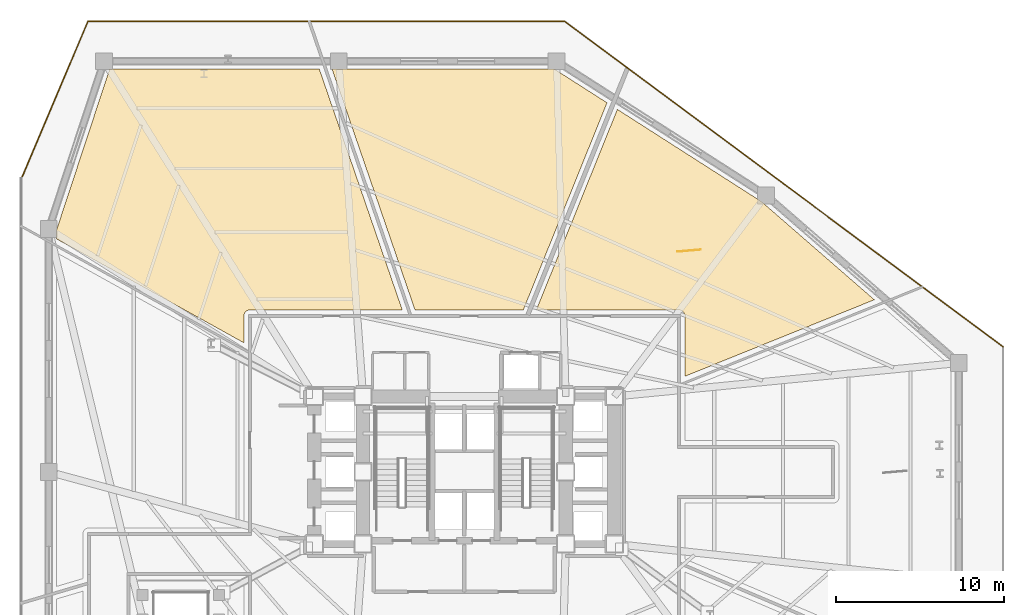
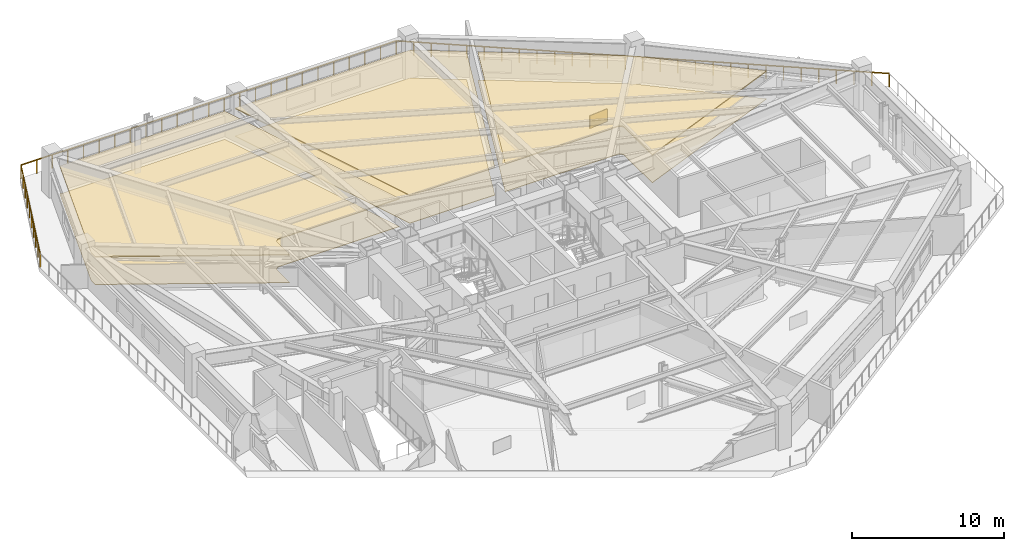
# One storey, part 10 of 10: 7 coverings, 1 railing.
"""IFC4 building model written with IfcOpenShell, lengths in metres."""

from ifc_helpers import new_model, si_unit, direction, frame, origin, origin_2d, place, context, subcontext, project, spatial, polyline, rectangle, outline, extrude, material, layer, layer_set, type_object, element, save


model = new_model("IFC4")

# Units and contexts
model_context = context("Model", 3, precision=1e-05, world=origin(), true_north=direction((0.0, 1.0)))
body_context = subcontext(model_context, "Body", "Model", "MODEL_VIEW")
ifc_project = project(units=[si_unit("LENGTHUNIT", "METRE"), si_unit("AREAUNIT", "SQUARE_METRE"), si_unit("VOLUMEUNIT", "CUBIC_METRE"), si_unit("PLANEANGLEUNIT", "RADIAN"), si_unit("MASSUNIT", "GRAM", prefix="KILO")], contexts=[model_context])

# Site, building, storey
site_placement = place(None, origin())
site = spatial("IfcSite", under=ifc_project, at=site_placement, CompositionType="ELEMENT")
building_placement = place(site_placement, origin())
building = spatial("IfcBuilding", under=site, at=building_placement, Name="Rocaltana Carrier Exchange", CompositionType="ELEMENT")
storey_placement = place(building_placement, frame((0.0, 0.0, 15.360107421875)))
storey = spatial("IfcBuildingStorey", under=building, at=storey_placement, Name="L05", CompositionType="ELEMENT", Elevation=15.360107421875)

# Coverings
ifc_material_1 = material(Name="Honed Bogota Sandstone Tile", Category="masonry")
ifc_layer_1 = layer(ifc_material_1, 0.0400390625)
ifc_layer_set_1 = layer_set([ifc_layer_1], Name="Honed Bogota Sandstone Tile")
covering_type_1 = type_object("IfcCoveringType", Name="Honed Stone Lobby Flooring 40", PredefinedType="FLOORING", material=ifc_layer_set_1)
covering_1_placement = place(storey_placement, origin())
element("IfcCovering", 1, at=covering_1_placement, inside=storey, type_object=covering_type_1, Name="L05 Peering Conference Room Finish Floor", PredefinedType="FLOORING", context=body_context, shape_type="SweptSolid", body=[
    extrude(outline(polyline([(17.7236328125, 16.130615234375), (24.4619140625, 10.271484375), (13.159912109375, 5.705322265625), (13.159912109375, 9.300048828125), (13.15966796875, 9.313720703125), (13.1591796875, 9.321533203125), (13.156494140625, 9.348876953125), (13.155517578125, 9.356689453125), (13.150146484375, 9.383544921875), (13.148193359375, 9.391357421875), (13.14013671875, 9.41748046875), (13.137451171875, 9.4248046875), (13.126953125, 9.4501953125), (13.123779296875, 9.45751953125), (13.110595703125, 9.481689453125), (13.106689453125, 9.48828125), (13.09130859375, 9.51123046875), (13.086669921875, 9.517578125), (13.0693359375, 9.538818359375), (13.06396484375, 9.544677734375), (13.044677734375, 9.56396484375), (13.038818359375, 9.5693359375), (13.017578125, 9.586669921875), (13.01123046875, 9.59130859375), (12.98828125, 9.606689453125), (12.981689453125, 9.610595703125), (12.95751953125, 9.623779296875), (12.9501953125, 9.626953125), (12.9248046875, 9.637451171875), (12.91748046875, 9.64013671875), (12.891357421875, 9.648193359375), (12.883544921875, 9.650146484375), (12.856689453125, 9.655517578125), (12.848876953125, 9.656494140625), (12.821533203125, 9.6591796875), (12.813720703125, 9.65966796875), (12.800048828125, 9.659912109375), (4.291259765625, 9.659912109375), (9.128173828125, 21.6318359375), (17.7236328125, 16.130615234375)])), origin(), (0.0, 0.0, 1.0), 0.039794921875),
])
covering_2_placement = place(storey_placement, origin())
element("IfcCovering", 2, at=covering_2_placement, inside=storey, type_object=covering_type_1, Name="L05 Optical Switching Laboratory Finish Floor", PredefinedType="FLOORING", context=body_context, shape_type="SweptSolid", body=[
    extrude(outline(polyline([(5.365478515625, 24.0400390625), (8.510986328125, 22.026611328125), (3.5146484375, 9.659912109375), (-2.945556640625, 9.659912109375), (-7.89697265625, 24.0400390625), (5.365478515625, 24.0400390625)])), origin(), (0.0, 0.0, 1.0), 0.039794921875),
])
covering_3_placement = place(storey_placement, origin())
element("IfcCovering", 3, at=covering_3_placement, inside=storey, type_object=covering_type_1, Name="L05 Client Reception Foyer Finish Floor", PredefinedType="FLOORING", context=body_context, shape_type="SweptSolid", body=[
    extrude(outline(polyline([(-24.340087890625, 14.426025390625), (-21.16748046875, 24.0400390625), (-8.658447265625, 24.0400390625), (-3.706787109375, 9.659912109375), (-12.800048828125, 9.659912109375), (-12.813720703125, 9.65966796875), (-12.821533203125, 9.6591796875), (-12.848876953125, 9.656494140625), (-12.856689453125, 9.655517578125), (-12.883544921875, 9.650146484375), (-12.891357421875, 9.648193359375), (-12.91748046875, 9.64013671875), (-12.9248046875, 9.637451171875), (-12.9501953125, 9.626953125), (-12.95751953125, 9.623779296875), (-12.981689453125, 9.610595703125), (-12.98828125, 9.606689453125), (-13.01123046875, 9.59130859375), (-13.017578125, 9.586669921875), (-13.038818359375, 9.5693359375), (-13.044677734375, 9.56396484375), (-13.06396484375, 9.544677734375), (-13.0693359375, 9.538818359375), (-13.086669921875, 9.517578125), (-13.09130859375, 9.51123046875), (-13.106689453125, 9.48828125), (-13.110595703125, 9.481689453125), (-13.123779296875, 9.45751953125), (-13.126953125, 9.4501953125), (-13.137451171875, 9.4248046875), (-13.14013671875, 9.41748046875), (-13.148193359375, 9.391357421875), (-13.150146484375, 9.383544921875), (-13.155517578125, 9.356689453125), (-13.156494140625, 9.348876953125), (-13.1591796875, 9.321533203125), (-13.15966796875, 9.313720703125), (-13.159912109375, 9.300048828125), (-13.159912109375, 7.706298828125), (-24.340087890625, 13.903564453125), (-24.340087890625, 14.426025390625)])), origin(), (0.0, 0.0, 1.0), 0.039794921875),
])
ifc_material_2 = material(Name="Anodised Aluminium 6063-T6", Category="aluminium")
ifc_layer_2 = layer(ifc_material_2, 0.0849609375)
ifc_layer_set_2 = layer_set([ifc_layer_2], Name="Anodised Aluminium 6063-T6")
covering_type_2 = type_object("IfcCoveringType", Name="Linear Baffle Acoustic Ceiling 85", PredefinedType="CEILING", material=ifc_layer_set_2)
covering_4_placement = place(storey_placement, frame((0.0, 0.0, 2.202880859375)))
element("IfcCovering", 4, at=covering_4_placement, inside=storey, type_object=covering_type_2, Name="L05 Peering Conference Room Acoustic Ceiling", PredefinedType="CEILING", context=body_context, shape_type="SweptSolid", body=[
    extrude(outline(polyline([(17.7236328125, 16.130615234375), (24.4619140625, 10.271484375), (13.159912109375, 5.705322265625), (13.159912109375, 9.300048828125), (13.15966796875, 9.313720703125), (13.1591796875, 9.321533203125), (13.156494140625, 9.348876953125), (13.155517578125, 9.356689453125), (13.150146484375, 9.383544921875), (13.148193359375, 9.391357421875), (13.14013671875, 9.41748046875), (13.137451171875, 9.4248046875), (13.126953125, 9.4501953125), (13.123779296875, 9.45751953125), (13.110595703125, 9.481689453125), (13.106689453125, 9.48828125), (13.09130859375, 9.51123046875), (13.086669921875, 9.517578125), (13.0693359375, 9.538818359375), (13.06396484375, 9.544677734375), (13.044677734375, 9.56396484375), (13.038818359375, 9.5693359375), (13.017578125, 9.586669921875), (13.01123046875, 9.59130859375), (12.98828125, 9.606689453125), (12.981689453125, 9.610595703125), (12.95751953125, 9.623779296875), (12.9501953125, 9.626953125), (12.9248046875, 9.637451171875), (12.91748046875, 9.64013671875), (12.891357421875, 9.648193359375), (12.883544921875, 9.650146484375), (12.856689453125, 9.655517578125), (12.848876953125, 9.656494140625), (12.821533203125, 9.6591796875), (12.813720703125, 9.65966796875), (12.800048828125, 9.659912109375), (4.291259765625, 9.659912109375), (9.128173828125, 21.6318359375), (17.7236328125, 16.130615234375)])), origin(), (0.0, 0.0, 1.0), 0.0849609375),
])
covering_5_placement = place(storey_placement, frame((0.0, 0.0, 2.202880859375)))
element("IfcCovering", 5, at=covering_5_placement, inside=storey, type_object=covering_type_2, Name="L05 Optical Switching Laboratory Acoustic Ceiling", PredefinedType="CEILING", context=body_context, shape_type="SweptSolid", body=[
    extrude(outline(polyline([(5.365478515625, 24.0400390625), (8.510986328125, 22.026611328125), (3.5146484375, 9.659912109375), (-2.945556640625, 9.659912109375), (-7.89697265625, 24.0400390625), (5.365478515625, 24.0400390625)])), origin(), (0.0, 0.0, 1.0), 0.0849609375),
])
covering_6_placement = place(storey_placement, frame((0.0, 0.0, 2.202880859375)))
element("IfcCovering", 6, at=covering_6_placement, inside=storey, type_object=covering_type_2, Name="L05 Client Reception Foyer Acoustic Ceiling", PredefinedType="CEILING", context=body_context, shape_type="SweptSolid", body=[
    extrude(outline(polyline([(-24.340087890625, 14.426025390625), (-21.16748046875, 24.0400390625), (-8.658447265625, 24.0400390625), (-3.706787109375, 9.659912109375), (-12.800048828125, 9.659912109375), (-12.813720703125, 9.65966796875), (-12.821533203125, 9.6591796875), (-12.848876953125, 9.656494140625), (-12.856689453125, 9.655517578125), (-12.883544921875, 9.650146484375), (-12.891357421875, 9.648193359375), (-12.91748046875, 9.64013671875), (-12.9248046875, 9.637451171875), (-12.9501953125, 9.626953125), (-12.95751953125, 9.623779296875), (-12.981689453125, 9.610595703125), (-12.98828125, 9.606689453125), (-13.01123046875, 9.59130859375), (-13.017578125, 9.586669921875), (-13.038818359375, 9.5693359375), (-13.044677734375, 9.56396484375), (-13.06396484375, 9.544677734375), (-13.0693359375, 9.538818359375), (-13.086669921875, 9.517578125), (-13.09130859375, 9.51123046875), (-13.106689453125, 9.48828125), (-13.110595703125, 9.481689453125), (-13.123779296875, 9.45751953125), (-13.126953125, 9.4501953125), (-13.137451171875, 9.4248046875), (-13.14013671875, 9.41748046875), (-13.148193359375, 9.391357421875), (-13.150146484375, 9.383544921875), (-13.155517578125, 9.356689453125), (-13.156494140625, 9.348876953125), (-13.1591796875, 9.321533203125), (-13.15966796875, 9.313720703125), (-13.159912109375, 9.300048828125), (-13.159912109375, 7.706298828125), (-24.340087890625, 13.903564453125), (-24.340087890625, 14.426025390625)])), origin(), (0.0, 0.0, 1.0), 0.0849609375),
])
ifc_material_3 = material(Name="Honed Piedra Muneca Sandstone", Category="masonry")
ifc_layer_3 = layer(ifc_material_3, 0.034912109375)
ifc_layer_set_3 = layer_set([ifc_layer_3], Name="Honed Piedra Muneca Sandstone")
covering_type_3 = type_object("IfcCoveringType", Name="Stone Facade Cladding 35", PredefinedType="CLADDING", material=ifc_layer_set_3)
covering_7_placement = place(storey_placement, frame((13.4072265625, 13.201171875, 0.0), z_axis=(0.0, 0.0, 1.0), x_axis=(0.996194698092, 0.087155742748, 0.0)))
element("IfcCovering", 7, at=covering_7_placement, inside=storey, type_object=covering_type_3, Name="L05 Stone Facade Cladding Panel 5", PredefinedType="CLADDING", context=body_context, shape_type="SweptSolid", body=[
    extrude(rectangle(XDim=1.39990234375, YDim=0.034912109375, at=origin_2d()), origin(), (0.0, 0.0, 1.0), 1.050048828125),
])

# Railing
ifc_material_4 = material(Name="Powder-Coated Aluminium 6063-T6", Category="aluminium")
ifc_layer_4 = layer(ifc_material_4, 0.06005859375)
ifc_layer_set_4 = layer_set([ifc_layer_4], Name="Powder-Coated Aluminium 6063-T6")
railing_type = type_object("IfcRailingType", Name="Wind-Floor & Terrace Perimeter Guardrail 1100", PredefinedType="GUARDRAIL", material=ifc_layer_set_4)
railing_placement = place(storey_placement, frame((-26.43994140625, 17.48779296875, 0.0)))
element("IfcRailing", 8, at=railing_placement, inside=storey, type_object=railing_type, Name="L05 Perimeter Balcony Guardrail 2", PredefinedType="GUARDRAIL", context=body_context, shape_type="SweptSolid", body=[
    extrude(rectangle(XDim=0.048095703125, YDim=0.048095703125, at=origin_2d()), frame((0.0, 0.0, 1.076171875), z_axis=(0.389799902601, 0.920899579722, 0.0), x_axis=(-0.920899579722, 0.389799902601, 0.0)), (0.0, 0.0, 1.0), 10.209716796875),
    extrude(rectangle(XDim=0.048095703125, YDim=0.048095703125, at=origin_2d()), frame((3.979736328125, 9.402099609375, 1.076171875), z_axis=(1.0, 0.0, 0.0), x_axis=(0.0, 1.0, 0.0)), (0.0, 0.0, 1.0), 28.4404296875),
    extrude(rectangle(XDim=0.048095703125, YDim=0.048095703125, at=origin_2d()), frame((32.420166015625, 9.402099609375, 1.076171875), z_axis=(0.802930850868, -0.596072184156, 0.0), x_axis=(0.596072184156, 0.802930850868, 0.0)), (0.0, 0.0, 1.0), 32.580322265625),
    extrude(rectangle(XDim=0.0419921875, YDim=0.0419921875, at=origin_2d()), origin(), (0.0, 0.0, 1.0), 1.052001953125),
    extrude(rectangle(XDim=0.0419921875, YDim=0.0419921875, at=origin_2d()), frame((0.442138671875, 1.044677734375, 0.0)), (0.0, 0.0, 1.0), 1.052001953125),
    extrude(rectangle(XDim=0.0419921875, YDim=0.0419921875, at=origin_2d()), frame((0.88427734375, 2.08935546875, 0.0)), (0.0, 0.0, 1.0), 1.052001953125),
    extrude(rectangle(XDim=0.0419921875, YDim=0.0419921875, at=origin_2d()), frame((1.32666015625, 3.134033203125, 0.0)), (0.0, 0.0, 1.0), 1.052001953125),
    extrude(rectangle(XDim=0.0419921875, YDim=0.0419921875, at=origin_2d()), frame((1.768798828125, 4.1787109375, 0.0)), (0.0, 0.0, 1.0), 1.052001953125),
    extrude(rectangle(XDim=0.0419921875, YDim=0.0419921875, at=origin_2d()), frame((2.2109375, 5.223388671875, 0.0)), (0.0, 0.0, 1.0), 1.052001953125),
    extrude(rectangle(XDim=0.0419921875, YDim=0.0419921875, at=origin_2d()), frame((2.653076171875, 6.26806640625, 0.0)), (0.0, 0.0, 1.0), 1.052001953125),
    extrude(rectangle(XDim=0.0419921875, YDim=0.0419921875, at=origin_2d()), frame((3.095458984375, 7.312744140625, 0.0)), (0.0, 0.0, 1.0), 1.052001953125),
    extrude(rectangle(XDim=0.0419921875, YDim=0.0419921875, at=origin_2d()), frame((3.53759765625, 8.357421875, 0.0)), (0.0, 0.0, 1.0), 1.052001953125),
    extrude(rectangle(XDim=0.0419921875, YDim=0.0419921875, at=origin_2d()), frame((3.979736328125, 9.402099609375, 0.0)), (0.0, 0.0, 1.0), 1.052001953125),
    extrude(rectangle(XDim=0.0419921875, YDim=0.0419921875, at=origin_2d()), frame((5.164794921875, 9.402099609375, 0.0)), (0.0, 0.0, 1.0), 1.052001953125),
    extrude(rectangle(XDim=0.0419921875, YDim=0.0419921875, at=origin_2d()), frame((6.349853515625, 9.402099609375, 0.0)), (0.0, 0.0, 1.0), 1.052001953125),
    extrude(rectangle(XDim=0.0419921875, YDim=0.0419921875, at=origin_2d()), frame((7.53466796875, 9.402099609375, 0.0)), (0.0, 0.0, 1.0), 1.052001953125),
    extrude(rectangle(XDim=0.0419921875, YDim=0.0419921875, at=origin_2d()), frame((8.7197265625, 9.402099609375, 0.0)), (0.0, 0.0, 1.0), 1.052001953125),
    extrude(rectangle(XDim=0.0419921875, YDim=0.0419921875, at=origin_2d()), frame((9.90478515625, 9.402099609375, 0.0)), (0.0, 0.0, 1.0), 1.052001953125),
    extrude(rectangle(XDim=0.0419921875, YDim=0.0419921875, at=origin_2d()), frame((11.08984375, 9.402099609375, 0.0)), (0.0, 0.0, 1.0), 1.052001953125),
    extrude(rectangle(XDim=0.0419921875, YDim=0.0419921875, at=origin_2d()), frame((12.27490234375, 9.402099609375, 0.0)), (0.0, 0.0, 1.0), 1.052001953125),
    extrude(rectangle(XDim=0.0419921875, YDim=0.0419921875, at=origin_2d()), frame((13.4599609375, 9.402099609375, 0.0)), (0.0, 0.0, 1.0), 1.052001953125),
    extrude(rectangle(XDim=0.0419921875, YDim=0.0419921875, at=origin_2d()), frame((14.64501953125, 9.402099609375, 0.0)), (0.0, 0.0, 1.0), 1.052001953125),
    extrude(rectangle(XDim=0.0419921875, YDim=0.0419921875, at=origin_2d()), frame((15.829833984375, 9.402099609375, 0.0)), (0.0, 0.0, 1.0), 1.052001953125),
    extrude(rectangle(XDim=0.0419921875, YDim=0.0419921875, at=origin_2d()), frame((17.014892578125, 9.402099609375, 0.0)), (0.0, 0.0, 1.0), 1.052001953125),
    extrude(rectangle(XDim=0.0419921875, YDim=0.0419921875, at=origin_2d()), frame((18.199951171875, 9.402099609375, 0.0)), (0.0, 0.0, 1.0), 1.052001953125),
    extrude(rectangle(XDim=0.0419921875, YDim=0.0419921875, at=origin_2d()), frame((19.385009765625, 9.402099609375, 0.0)), (0.0, 0.0, 1.0), 1.052001953125),
    extrude(rectangle(XDim=0.0419921875, YDim=0.0419921875, at=origin_2d()), frame((20.570068359375, 9.402099609375, 0.0)), (0.0, 0.0, 1.0), 1.052001953125),
    extrude(rectangle(XDim=0.0419921875, YDim=0.0419921875, at=origin_2d()), frame((21.7548828125, 9.402099609375, 0.0)), (0.0, 0.0, 1.0), 1.052001953125),
    extrude(rectangle(XDim=0.0419921875, YDim=0.0419921875, at=origin_2d()), frame((22.93994140625, 9.402099609375, 0.0)), (0.0, 0.0, 1.0), 1.052001953125),
    extrude(rectangle(XDim=0.0419921875, YDim=0.0419921875, at=origin_2d()), frame((24.125, 9.402099609375, 0.0)), (0.0, 0.0, 1.0), 1.052001953125),
    extrude(rectangle(XDim=0.0419921875, YDim=0.0419921875, at=origin_2d()), frame((25.31005859375, 9.402099609375, 0.0)), (0.0, 0.0, 1.0), 1.052001953125),
    extrude(rectangle(XDim=0.0419921875, YDim=0.0419921875, at=origin_2d()), frame((26.4951171875, 9.402099609375, 0.0)), (0.0, 0.0, 1.0), 1.052001953125),
    extrude(rectangle(XDim=0.0419921875, YDim=0.0419921875, at=origin_2d()), frame((27.68017578125, 9.402099609375, 0.0)), (0.0, 0.0, 1.0), 1.052001953125),
    extrude(rectangle(XDim=0.0419921875, YDim=0.0419921875, at=origin_2d()), frame((28.865234375, 9.402099609375, 0.0)), (0.0, 0.0, 1.0), 1.052001953125),
    extrude(rectangle(XDim=0.0419921875, YDim=0.0419921875, at=origin_2d()), frame((30.050048828125, 9.402099609375, 0.0)), (0.0, 0.0, 1.0), 1.052001953125),
    extrude(rectangle(XDim=0.0419921875, YDim=0.0419921875, at=origin_2d()), frame((31.235107421875, 9.402099609375, 0.0)), (0.0, 0.0, 1.0), 1.052001953125),
    extrude(rectangle(XDim=0.0419921875, YDim=0.0419921875, at=origin_2d()), frame((32.420166015625, 9.402099609375, 0.0)), (0.0, 0.0, 1.0), 1.052001953125),
    extrude(rectangle(XDim=0.0419921875, YDim=0.0419921875, at=origin_2d()), frame((33.3544921875, 8.70849609375, 0.0)), (0.0, 0.0, 1.0), 1.052001953125),
    extrude(rectangle(XDim=0.0419921875, YDim=0.0419921875, at=origin_2d()), frame((34.288818359375, 8.014892578125, 0.0)), (0.0, 0.0, 1.0), 1.052001953125),
    extrude(rectangle(XDim=0.0419921875, YDim=0.0419921875, at=origin_2d()), frame((35.222900390625, 7.3212890625, 0.0)), (0.0, 0.0, 1.0), 1.052001953125),
    extrude(rectangle(XDim=0.0419921875, YDim=0.0419921875, at=origin_2d()), frame((36.1572265625, 6.627685546875, 0.0)), (0.0, 0.0, 1.0), 1.052001953125),
    extrude(rectangle(XDim=0.0419921875, YDim=0.0419921875, at=origin_2d()), frame((37.091552734375, 5.934326171875, 0.0)), (0.0, 0.0, 1.0), 1.052001953125),
    extrude(rectangle(XDim=0.0419921875, YDim=0.0419921875, at=origin_2d()), frame((38.02587890625, 5.24072265625, 0.0)), (0.0, 0.0, 1.0), 1.052001953125),
    extrude(rectangle(XDim=0.0419921875, YDim=0.0419921875, at=origin_2d()), frame((38.9599609375, 4.547119140625, 0.0)), (0.0, 0.0, 1.0), 1.052001953125),
    extrude(rectangle(XDim=0.0419921875, YDim=0.0419921875, at=origin_2d()), frame((39.894287109375, 3.853515625, 0.0)), (0.0, 0.0, 1.0), 1.052001953125),
    extrude(rectangle(XDim=0.0419921875, YDim=0.0419921875, at=origin_2d()), frame((40.82861328125, 3.159912109375, 0.0)), (0.0, 0.0, 1.0), 1.052001953125),
    extrude(rectangle(XDim=0.0419921875, YDim=0.0419921875, at=origin_2d()), frame((41.762939453125, 2.46630859375, 0.0)), (0.0, 0.0, 1.0), 1.052001953125),
    extrude(rectangle(XDim=0.0419921875, YDim=0.0419921875, at=origin_2d()), frame((42.697265625, 1.772705078125, 0.0)), (0.0, 0.0, 1.0), 1.052001953125),
    extrude(rectangle(XDim=0.0419921875, YDim=0.0419921875, at=origin_2d()), frame((43.63134765625, 1.0791015625, 0.0)), (0.0, 0.0, 1.0), 1.052001953125),
    extrude(rectangle(XDim=0.0419921875, YDim=0.0419921875, at=origin_2d()), frame((44.565673828125, 0.385498046875, 0.0)), (0.0, 0.0, 1.0), 1.052001953125),
    extrude(rectangle(XDim=0.0419921875, YDim=0.0419921875, at=origin_2d()), frame((45.5, -0.30810546875, 0.0)), (0.0, 0.0, 1.0), 1.052001953125),
    extrude(rectangle(XDim=0.0419921875, YDim=0.0419921875, at=origin_2d()), frame((46.434326171875, -1.00146484375, 0.0)), (0.0, 0.0, 1.0), 1.052001953125),
    extrude(rectangle(XDim=0.0419921875, YDim=0.0419921875, at=origin_2d()), frame((47.36865234375, -1.695068359375, 0.0)), (0.0, 0.0, 1.0), 1.052001953125),
    extrude(rectangle(XDim=0.0419921875, YDim=0.0419921875, at=origin_2d()), frame((48.302734375, -2.388671875, 0.0)), (0.0, 0.0, 1.0), 1.052001953125),
    extrude(rectangle(XDim=0.0419921875, YDim=0.0419921875, at=origin_2d()), frame((49.237060546875, -3.082275390625, 0.0)), (0.0, 0.0, 1.0), 1.052001953125),
    extrude(rectangle(XDim=0.0419921875, YDim=0.0419921875, at=origin_2d()), frame((50.17138671875, -3.77587890625, 0.0)), (0.0, 0.0, 1.0), 1.052001953125),
    extrude(rectangle(XDim=0.0419921875, YDim=0.0419921875, at=origin_2d()), frame((51.105712890625, -4.469482421875, 0.0)), (0.0, 0.0, 1.0), 1.052001953125),
    extrude(rectangle(XDim=0.0419921875, YDim=0.0419921875, at=origin_2d()), frame((52.0400390625, -5.1630859375, 0.0)), (0.0, 0.0, 1.0), 1.052001953125),
    extrude(rectangle(XDim=0.0419921875, YDim=0.0419921875, at=origin_2d()), frame((52.97412109375, -5.856689453125, 0.0)), (0.0, 0.0, 1.0), 1.052001953125),
    extrude(rectangle(XDim=0.0419921875, YDim=0.0419921875, at=origin_2d()), frame((53.908447265625, -6.55029296875, 0.0)), (0.0, 0.0, 1.0), 1.052001953125),
    extrude(rectangle(XDim=0.0419921875, YDim=0.0419921875, at=origin_2d()), frame((54.8427734375, -7.24365234375, 0.0)), (0.0, 0.0, 1.0), 1.052001953125),
    extrude(rectangle(XDim=0.0419921875, YDim=0.0419921875, at=origin_2d()), frame((55.777099609375, -7.937255859375, 0.0)), (0.0, 0.0, 1.0), 1.052001953125),
    extrude(rectangle(XDim=0.0419921875, YDim=0.0419921875, at=origin_2d()), frame((56.711181640625, -8.630859375, 0.0)), (0.0, 0.0, 1.0), 1.052001953125),
    extrude(rectangle(XDim=0.0419921875, YDim=0.0419921875, at=origin_2d()), frame((57.6455078125, -9.324462890625, 0.0)), (0.0, 0.0, 1.0), 1.052001953125),
    extrude(rectangle(XDim=0.0419921875, YDim=0.0419921875, at=origin_2d()), frame((58.579833984375, -10.01806640625, 0.0)), (0.0, 0.0, 1.0), 1.052001953125),
])

save(model, "model.ifc")
